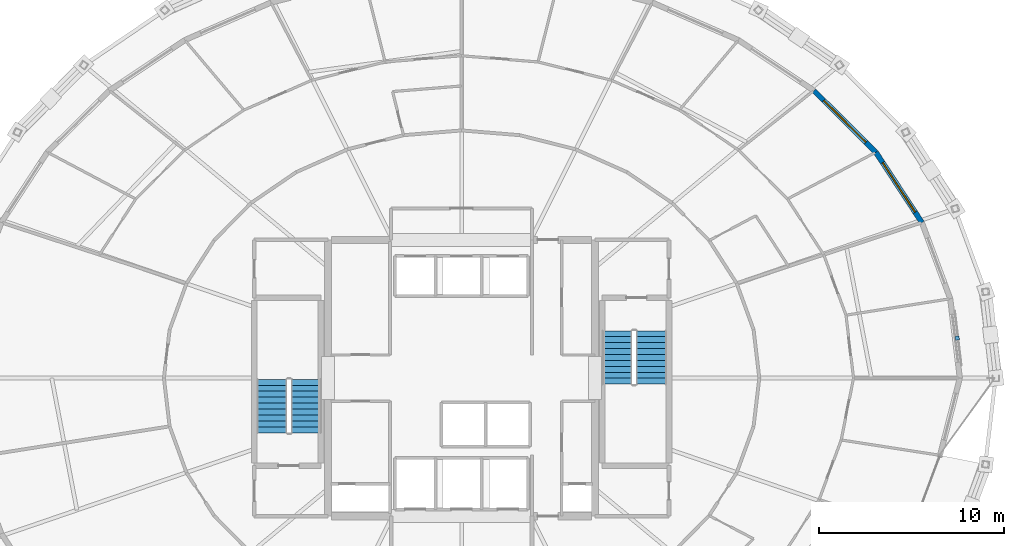
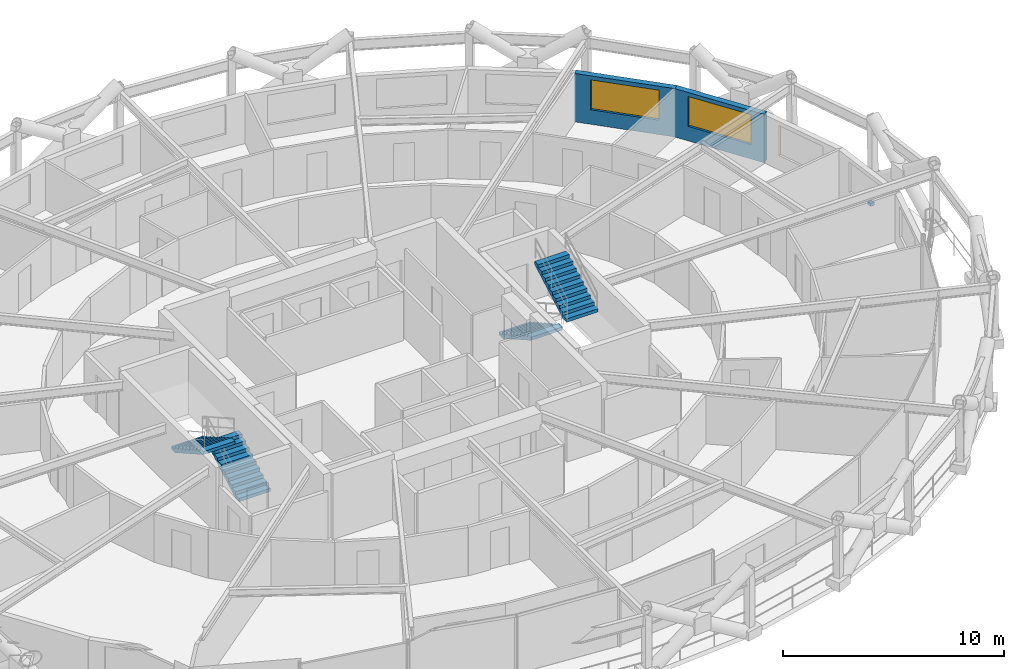
# One storey, part 20 of 23: 4 stair flights, 2 walls, 2 windows, 1 discrete accessory, 2 openings, 2 elements without a shape of their own.
"""IFC4 building model written with IfcOpenShell, lengths in metres."""

from ifc_helpers import new_model, si_unit, direction, frame, frame_2d, origin, origin_2d, place, context, subcontext, project, spatial, polyline, rectangle, outline, extrude, material, layer, layer_set, type_object, element, fill, aggregate, save


model = new_model("IFC4")

# Units and contexts
model_context = context("Model", 3, precision=1e-05, world=origin(), true_north=direction((0.0, 1.0)))
body_context = subcontext(model_context, "Body", "Model", "MODEL_VIEW")
ifc_project = project(units=[si_unit("LENGTHUNIT", "METRE"), si_unit("AREAUNIT", "SQUARE_METRE"), si_unit("VOLUMEUNIT", "CUBIC_METRE"), si_unit("PLANEANGLEUNIT", "RADIAN"), si_unit("MASSUNIT", "GRAM", prefix="KILO")], contexts=[model_context])

# Site, building, storey
site_placement = place(None, origin())
site = spatial("IfcSite", under=ifc_project, at=site_placement, CompositionType="ELEMENT")
building_placement = place(site_placement, origin())
building = spatial("IfcBuilding", under=site, at=building_placement, Name="Veldorina Hangang Commons", CompositionType="ELEMENT")
storey_placement = place(building_placement, frame((0.0, 0.0, 102.39990234375)))
storey = spatial("IfcBuildingStorey", under=building, at=storey_placement, Name="L26", CompositionType="ELEMENT", Elevation=102.39990234375)

# Wall, opening, window
ifc_material_1 = material(Name="Stone Roman Travertine", Category="masonry")
ifc_layer = layer(ifc_material_1, 0.280029296875)
ifc_layer_set = layer_set([ifc_layer], Name="Stone Roman Travertine")
wall_type = type_object("IfcWallType", Name="EW-TRAV-280", PredefinedType="STANDARD", material=ifc_layer_set)
wall_1_placement = place(storey_placement, frame((56.81494140625, 32.385986328125, 0.0), z_axis=(0.0, 0.0, 1.0), x_axis=(-0.547989842324, 0.836484986542, 0.0)))
wall_1 = element("IfcWall", 1, at=wall_1_placement, inside=storey, type_object=wall_type, Name="L26 travertine facade wall 02", PredefinedType="STANDARD", context=body_context, shape_type="SweptSolid", body=[
    extrude(rectangle(XDim=4.529052734375, YDim=0.280029296875, at=frame_2d((2.2646484375, 0.0))), origin(), (0.0, 0.0, 1.0), 2.670166015625),
])
opening_1_placement = place(wall_1_placement, frame((0.66455078125, 0.0, 0.800048828125)))
opening_1 = element("IfcOpeningElement", 2, at=opening_1_placement, cuts=wall_1, Name="Opening W-01", PredefinedType="OPENING", context=body_context, shape_type="SweptSolid", body=[
    extrude(rectangle(XDim=3.199951171875, YDim=1.64990234375, at=frame_2d((1.60009765625, 0.824951171875))), frame((0.0, 0.14990234375, 0.0), z_axis=(0.0, -1.0, 0.0), x_axis=(1.0, 0.0, 0.0)), (0.0, 0.0, 1.0), 0.300048828125),
])
ifc_material_2 = material(Name="Glass Low-E Triple IGU", Category="glass")
window_type = type_object("IfcWindowType", Name="WIN-TWR-3200", PartitioningType="SINGLE_PANEL", PredefinedType="WINDOW", material=ifc_material_2)
window_1_placement = place(opening_1_placement, origin())
window_1 = element("IfcWindow", 3, at=window_1_placement, inside=storey, type_object=window_type, Name="L26 facade window 02", OverallHeight=1.64990234375, OverallWidth=3.199951171875, PartitioningType="SINGLE_PANEL", PredefinedType="WINDOW", context=body_context, shape_type="SweptSolid", body=[
    extrude(rectangle(XDim=3.199951171875, YDim=1.64990234375, at=frame_2d((1.60009765625, 0.824951171875))), frame((0.0, 0.030029296875, 0.0), z_axis=(0.0, -1.0, 0.0), x_axis=(1.0, 0.0, 0.0)), (0.0, 0.0, 1.0), 0.06005859375),
])
fill(opening_1, window_1)

wall_2_placement = place(storey_placement, frame((54.3330078125, 36.174560546875, 0.0), z_axis=(0.0, 0.0, 1.0), x_axis=(-0.709177055594, 0.705030427583, 0.0)))
wall_2 = element("IfcWall", 4, at=wall_2_placement, inside=storey, type_object=wall_type, Name="L26 travertine facade wall 03", PredefinedType="STANDARD", context=body_context, shape_type="SweptSolid", body=[
    extrude(rectangle(XDim=4.710205078125, YDim=0.280029296875, at=frame_2d((2.35498046875, 0.0))), origin(), (0.0, 0.0, 1.0), 2.670166015625),
])
opening_2_placement = place(wall_2_placement, frame((0.7548828125, 0.0, 0.800048828125)))
opening_2 = element("IfcOpeningElement", 5, at=opening_2_placement, cuts=wall_2, Name="Opening W-01", PredefinedType="OPENING", context=body_context, shape_type="SweptSolid", body=[
    extrude(rectangle(XDim=3.199951171875, YDim=1.64990234375, at=frame_2d((1.60009765625, 0.824951171875))), frame((0.0, 0.14990234375, 0.0), z_axis=(0.0, -1.0, 0.0), x_axis=(1.0, 0.0, 0.0)), (0.0, 0.0, 1.0), 0.300048828125),
])
window_2_placement = place(opening_2_placement, origin())
window_2 = element("IfcWindow", 6, at=window_2_placement, inside=storey, type_object=window_type, Name="L26 facade window 03", OverallHeight=1.64990234375, OverallWidth=3.199951171875, PartitioningType="SINGLE_PANEL", PredefinedType="WINDOW", context=body_context, shape_type="SweptSolid", body=[
    extrude(rectangle(XDim=3.199951171875, YDim=1.64990234375, at=frame_2d((1.60009765625, 0.824951171875))), frame((0.0, 0.030029296875, 0.0), z_axis=(0.0, -1.0, 0.0), x_axis=(1.0, 0.0, 0.0)), (0.0, 0.0, 1.0), 0.06005859375),
])
fill(opening_2, window_2)

# Stair, stair flights
ifc_material_3 = material(Name="Concrete C40/50", Category="concrete")
stair_type = type_object("IfcStairType", Name="STR-DOG-1650-20R", PredefinedType="HALF_TURN_STAIR", material=ifc_material_3)
stair_1_placement = place(storey_placement, origin())
stair_1 = element("IfcStair", 7, at=stair_1_placement, inside=storey, type_object=stair_type, Name="L26 Exit stair ST-1", PredefinedType="HALF_TURN_STAIR")
stair_flight_type = type_object("IfcStairFlightType", Name="SFL-STR-1650-20R", PredefinedType="STRAIGHT", material=ifc_material_3)
stair_flight_1_placement = place(storey_placement, frame((23.625, 21.050048828125, 0.0), z_axis=(0.0, 0.0, 1.0), x_axis=(0.0, 1.0, 0.0)))
stair_flight_1 = element("IfcStairFlight", 8, at=stair_flight_1_placement, type_object=stair_flight_type, Name="ST-1 flight 1", NumberOfRisers=10, NumberOfTreads=9, PredefinedType="STRAIGHT", RiserHeight=0.18, TreadLength=0.32, context=body_context, shape_type="SweptSolid", body=[
    extrude(outline(polyline([(0.0, 0.0), (0.0, 0.179931640625), (0.320068359375, 0.179931640625), (0.320068359375, 0.360107421875), (0.639892578125, 0.360107421875), (0.639892578125, 0.5400390625), (0.9599609375, 0.5400390625), (0.9599609375, 0.719970703125), (1.280029296875, 0.719970703125), (1.280029296875, 0.89990234375), (1.60009765625, 0.89990234375), (1.60009765625, 1.080078125), (1.919921875, 1.080078125), (1.919921875, 1.260009765625), (2.239990234375, 1.260009765625), (2.239990234375, 1.43994140625), (2.56005859375, 1.43994140625), (2.56005859375, 1.6201171875), (2.8798828125, 1.6201171875), (2.8798828125, 1.800048828125), (2.8798828125, 1.447998046875), (0.3056640625, 0.0), (0.0, 0.0)])), frame((0.0, 0.824951171875, 0.0), z_axis=(0.0, -1.0, 0.0), x_axis=(1.0, 0.0, 0.0)), (0.0, 0.0, 1.0), 1.64990234375),
])
stair_flight_2_placement = place(storey_placement, frame((21.77490234375, 23.929931640625, 1.800048828125), z_axis=(0.0, 0.0, 1.0), x_axis=(0.0, -1.0, 0.0)))
stair_flight_2 = element("IfcStairFlight", 9, at=stair_flight_2_placement, type_object=stair_flight_type, Name="ST-1 flight 2", NumberOfRisers=10, NumberOfTreads=9, PredefinedType="STRAIGHT", RiserHeight=0.18, TreadLength=0.32, context=body_context, shape_type="SweptSolid", body=[
    extrude(outline(polyline([(0.0, 0.0), (0.0, 0.179931640625), (0.320068359375, 0.179931640625), (0.320068359375, 0.360107421875), (0.639892578125, 0.360107421875), (0.639892578125, 0.5400390625), (0.9599609375, 0.5400390625), (0.9599609375, 0.719970703125), (1.280029296875, 0.719970703125), (1.280029296875, 0.89990234375), (1.60009765625, 0.89990234375), (1.60009765625, 1.080078125), (1.919921875, 1.080078125), (1.919921875, 1.260009765625), (2.239990234375, 1.260009765625), (2.239990234375, 1.43994140625), (2.56005859375, 1.43994140625), (2.56005859375, 1.6201171875), (2.8798828125, 1.6201171875), (2.8798828125, 1.800048828125), (2.8798828125, 1.447998046875), (0.3056640625, 0.0), (0.0, 0.0)])), frame((0.0, 0.824951171875, 0.0), z_axis=(0.0, -1.0, 0.0), x_axis=(1.0, 0.0, 0.0)), (0.0, 0.0, 1.0), 1.64990234375),
])
aggregate(stair_1, [stair_flight_1, stair_flight_2])

stair_2_placement = place(storey_placement, origin())
stair_2 = element("IfcStair", 10, at=stair_2_placement, inside=storey, type_object=stair_type, Name="L26 Exit stair ST-2", PredefinedType="HALF_TURN_STAIR")
stair_flight_3_placement = place(storey_placement, frame((40.375, 26.550048828125, 0.0), z_axis=(0.0, 0.0, 1.0), x_axis=(0.0, -1.0, 0.0)))
stair_flight_3 = element("IfcStairFlight", 11, at=stair_flight_3_placement, type_object=stair_flight_type, Name="ST-2 flight 1", NumberOfRisers=10, NumberOfTreads=9, PredefinedType="STRAIGHT", RiserHeight=0.18, TreadLength=0.32, context=body_context, shape_type="SweptSolid", body=[
    extrude(outline(polyline([(0.0, 0.0), (0.0, 0.179931640625), (0.320068359375, 0.179931640625), (0.320068359375, 0.360107421875), (0.639892578125, 0.360107421875), (0.639892578125, 0.5400390625), (0.9599609375, 0.5400390625), (0.9599609375, 0.719970703125), (1.280029296875, 0.719970703125), (1.280029296875, 0.89990234375), (1.60009765625, 0.89990234375), (1.60009765625, 1.080078125), (1.919921875, 1.080078125), (1.919921875, 1.260009765625), (2.239990234375, 1.260009765625), (2.239990234375, 1.43994140625), (2.56005859375, 1.43994140625), (2.56005859375, 1.6201171875), (2.8798828125, 1.6201171875), (2.8798828125, 1.800048828125), (2.8798828125, 1.447998046875), (0.3056640625, 0.0), (0.0, 0.0)])), frame((0.0, 0.824951171875, 0.0), z_axis=(0.0, -1.0, 0.0), x_axis=(1.0, 0.0, 0.0)), (0.0, 0.0, 1.0), 1.64990234375),
])
stair_flight_4_placement = place(storey_placement, frame((42.22509765625, 23.669921875, 1.800048828125), z_axis=(0.0, 0.0, 1.0), x_axis=(0.0, 1.0, 0.0)))
stair_flight_4 = element("IfcStairFlight", 12, at=stair_flight_4_placement, type_object=stair_flight_type, Name="ST-2 flight 2", NumberOfRisers=10, NumberOfTreads=9, PredefinedType="STRAIGHT", RiserHeight=0.18, TreadLength=0.32, context=body_context, shape_type="SweptSolid", body=[
    extrude(outline(polyline([(0.0, 0.0), (0.0, 0.179931640625), (0.320068359375, 0.179931640625), (0.320068359375, 0.360107421875), (0.639892578125, 0.360107421875), (0.639892578125, 0.5400390625), (0.9599609375, 0.5400390625), (0.9599609375, 0.719970703125), (1.280029296875, 0.719970703125), (1.280029296875, 0.89990234375), (1.60009765625, 0.89990234375), (1.60009765625, 1.080078125), (1.919921875, 1.080078125), (1.919921875, 1.260009765625), (2.239990234375, 1.260009765625), (2.239990234375, 1.43994140625), (2.56005859375, 1.43994140625), (2.56005859375, 1.6201171875), (2.8798828125, 1.6201171875), (2.8798828125, 1.800048828125), (2.8798828125, 1.447998046875), (0.3056640625, 0.0), (0.0, 0.0)])), frame((0.0, 0.824951171875, 0.0), z_axis=(0.0, -1.0, 0.0), x_axis=(1.0, 0.0, 0.0)), (0.0, 0.0, 1.0), 1.64990234375),
])
aggregate(stair_2, [stair_flight_3, stair_flight_4])

# Discrete accessory
ifc_material_4 = material(Name="Stainless Steel Brushed 316", Category="steel")
discrete_accessory_type = type_object("IfcDiscreteAccessoryType", Name="BRK-SCR-SS", PredefinedType="BRACKET", material=ifc_material_4)
discrete_accessory_placement = place(storey_placement, frame((58.720703125, 26.152099609375, 0.72021484375), z_axis=(0.0, 0.0, 1.0), x_axis=(-0.119842276518, 0.992792943548, 0.0)))
element("IfcDiscreteAccessory", 13, at=discrete_accessory_placement, inside=storey, type_object=discrete_accessory_type, Name="L26 solar screen support bracket 00", PredefinedType="BRACKET", context=body_context, shape_type="SweptSolid", body=[
    extrude(rectangle(XDim=0.219970703125, YDim=0.219970703125, at=origin_2d()), origin(), (0.0, 0.0, 1.0), 0.159912109375),
])

save(model, "model.ifc")
